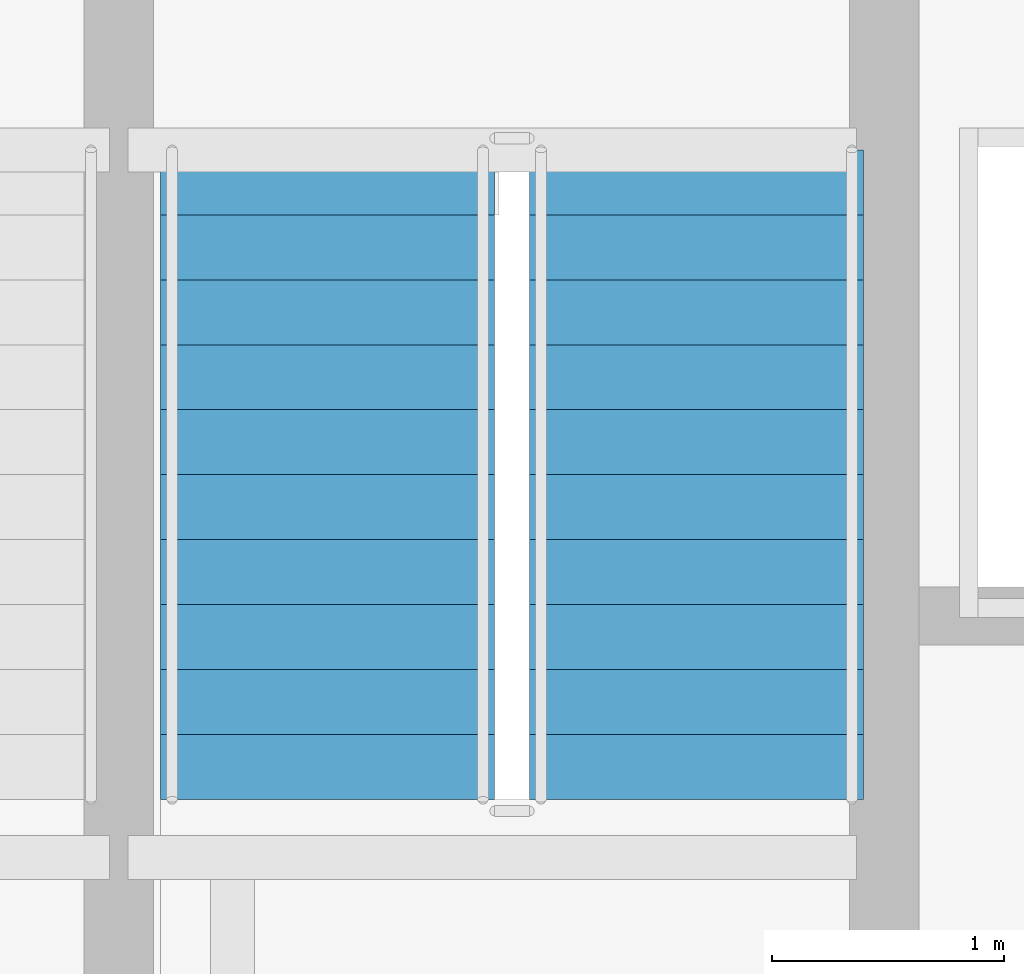
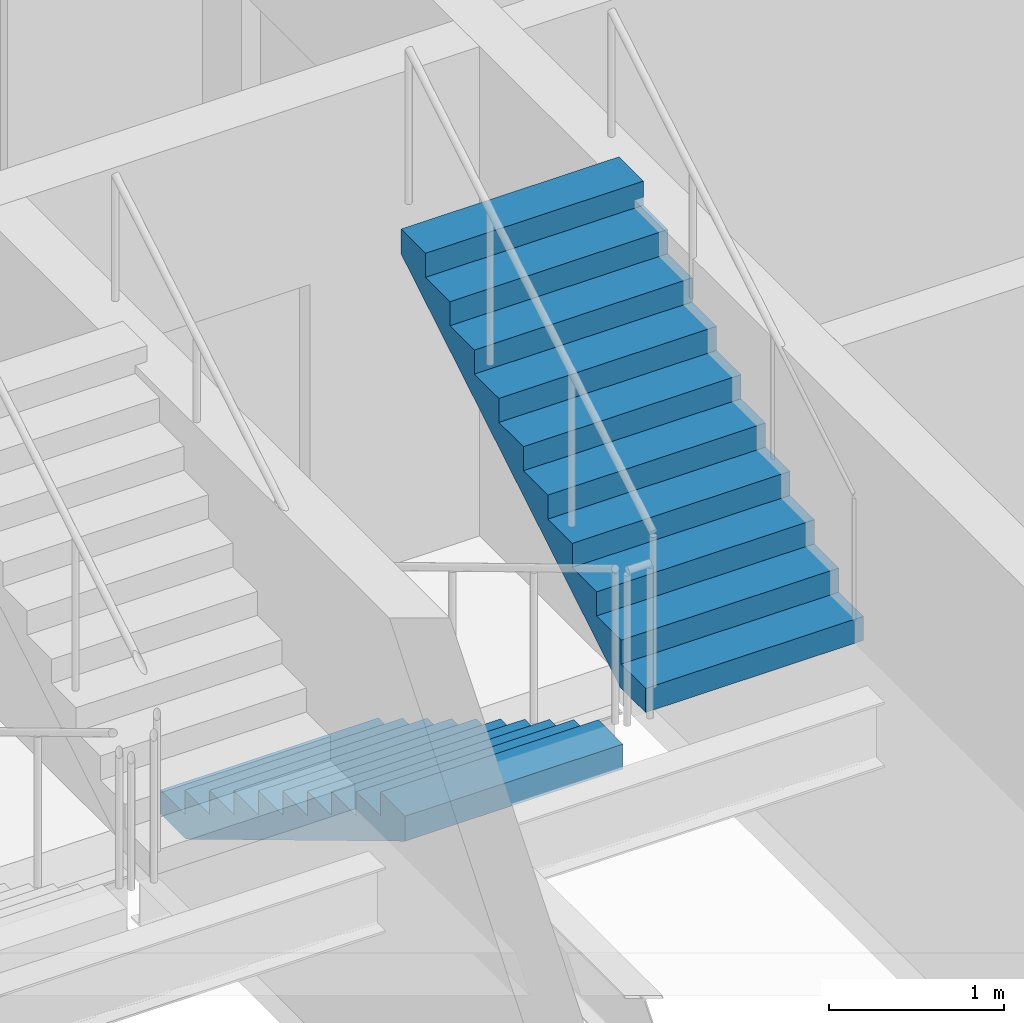
# One storey, part 29 of 34: 2 stair flights, 1 element without a shape of its own.
"""IFC4 building model written with IfcOpenShell, lengths in metres."""

from ifc_helpers import new_model, si_unit, direction, frame, origin, place, context, subcontext, project, spatial, polyline, outline, extrude, material, layer, layer_set, type_object, element, aggregate, save


model = new_model("IFC4")

# Units and contexts
model_context = context("Model", 3, precision=1e-05, world=origin(), true_north=direction((0.0, 1.0)))
body_context = subcontext(model_context, "Body", "Model", "MODEL_VIEW")
ifc_project = project(units=[si_unit("LENGTHUNIT", "METRE"), si_unit("AREAUNIT", "SQUARE_METRE"), si_unit("VOLUMEUNIT", "CUBIC_METRE"), si_unit("PLANEANGLEUNIT", "RADIAN"), si_unit("MASSUNIT", "GRAM", prefix="KILO")], contexts=[model_context])

# Site, building, storey
site_placement = place(None, origin())
site = spatial("IfcSite", under=ifc_project, at=site_placement, CompositionType="ELEMENT")
building_placement = place(site_placement, origin())
building = spatial("IfcBuilding", under=site, at=building_placement, Name="Solvaryn Broadcast Tower", CompositionType="ELEMENT")
storey_placement = place(building_placement, frame((0.0, 0.0, 69.300048828125)))
storey = spatial("IfcBuildingStorey", under=building, at=storey_placement, Name="L16", CompositionType="ELEMENT", Elevation=69.300048828125)

# Stair, stair flights
ifc_material_1 = material(Name="Concrete f'c 60 MPa", Category="concrete")
stair_type = type_object("IfcStairType", Name="ST-CORE", PredefinedType="HALF_TURN_STAIR", material=ifc_material_1)
stair_placement = place(storey_placement, origin())
stair = element("IfcStair", 1, at=stair_placement, inside=storey, type_object=stair_type, Name="L16 ST2", PredefinedType="HALF_TURN_STAIR")
ifc_material_2 = material(Name="Concrete f'c 60 MPa", Category="concrete")
ifc_layer = layer(ifc_material_2, 0.159912109375)
ifc_layer_set = layer_set([ifc_layer], Name="SF-CORE")
stair_flight_type = type_object("IfcStairFlightType", Name="SF-CORE", PredefinedType="STRAIGHT", material=ifc_layer_set)
stair_flight_1_placement = place(storey_placement, frame((15.52001953125, 35.9599609375, 0.0), z_axis=(0.0, 0.0, 1.0), x_axis=(0.0, -1.0, 0.0)))
stair_flight_1 = element("IfcStairFlight", 2, at=stair_flight_1_placement, type_object=stair_flight_type, Name="ST2 flight 1", NumberOfRisers=11, NumberOfTreads=10, PredefinedType="STRAIGHT", RiserHeight=0.168181818, TreadLength=0.28, context=body_context, shape_type="SweptSolid", body=[
    extrude(outline(polyline([(0.0, 0.0), (0.0, 0.168212890625), (0.280029296875, 0.168212890625), (0.280029296875, 0.33642578125), (0.56005859375, 0.33642578125), (0.56005859375, 0.504638671875), (0.840087890625, 0.504638671875), (0.840087890625, 0.672607421875), (1.1201171875, 0.672607421875), (1.1201171875, 0.8408203125), (1.39990234375, 0.8408203125), (1.39990234375, 1.009033203125), (1.679931640625, 1.009033203125), (1.679931640625, 1.17724609375), (1.9599609375, 1.17724609375), (1.9599609375, 1.345458984375), (2.239990234375, 1.345458984375), (2.239990234375, 1.513671875), (2.52001953125, 1.513671875), (2.52001953125, 1.681884765625), (2.800048828125, 1.681884765625), (2.800048828125, 1.85009765625), (2.800048828125, 1.5068359375), (0.291015625, 0.0), (0.0, 0.0)])), frame((0.0, 0.719970703125, 0.0), z_axis=(0.0, -1.0, 0.0), x_axis=(1.0, 0.0, 0.0)), (0.0, 0.0, 1.0), 1.43994140625),
])
stair_flight_2_placement = place(storey_placement, frame((17.110107421875, 33.159912109375, 1.849853515625), z_axis=(0.0, 0.0, 1.0), x_axis=(0.0, 1.0, 0.0)))
stair_flight_2 = element("IfcStairFlight", 3, at=stair_flight_2_placement, type_object=stair_flight_type, Name="ST2 flight 2", NumberOfRisers=11, NumberOfTreads=10, PredefinedType="STRAIGHT", RiserHeight=0.168181818, TreadLength=0.28, context=body_context, shape_type="SweptSolid", body=[
    extrude(outline(polyline([(0.0, 0.0), (0.0, 0.168212890625), (0.280029296875, 0.168212890625), (0.280029296875, 0.33642578125), (0.56005859375, 0.33642578125), (0.56005859375, 0.504638671875), (0.840087890625, 0.504638671875), (0.840087890625, 0.672607421875), (1.1201171875, 0.672607421875), (1.1201171875, 0.8408203125), (1.39990234375, 0.8408203125), (1.39990234375, 1.009033203125), (1.679931640625, 1.009033203125), (1.679931640625, 1.17724609375), (1.9599609375, 1.17724609375), (1.9599609375, 1.345458984375), (2.239990234375, 1.345458984375), (2.239990234375, 1.513671875), (2.52001953125, 1.513671875), (2.52001953125, 1.681884765625), (2.800048828125, 1.681884765625), (2.800048828125, 1.85009765625), (2.800048828125, 1.5068359375), (0.291015625, 0.0), (0.0, 0.0)])), frame((0.0, 0.719970703125, 0.0), z_axis=(0.0, -1.0, 0.0), x_axis=(1.0, 0.0, 0.0)), (0.0, 0.0, 1.0), 1.43994140625),
])
aggregate(stair, [stair_flight_1, stair_flight_2])

save(model, "model.ifc")
